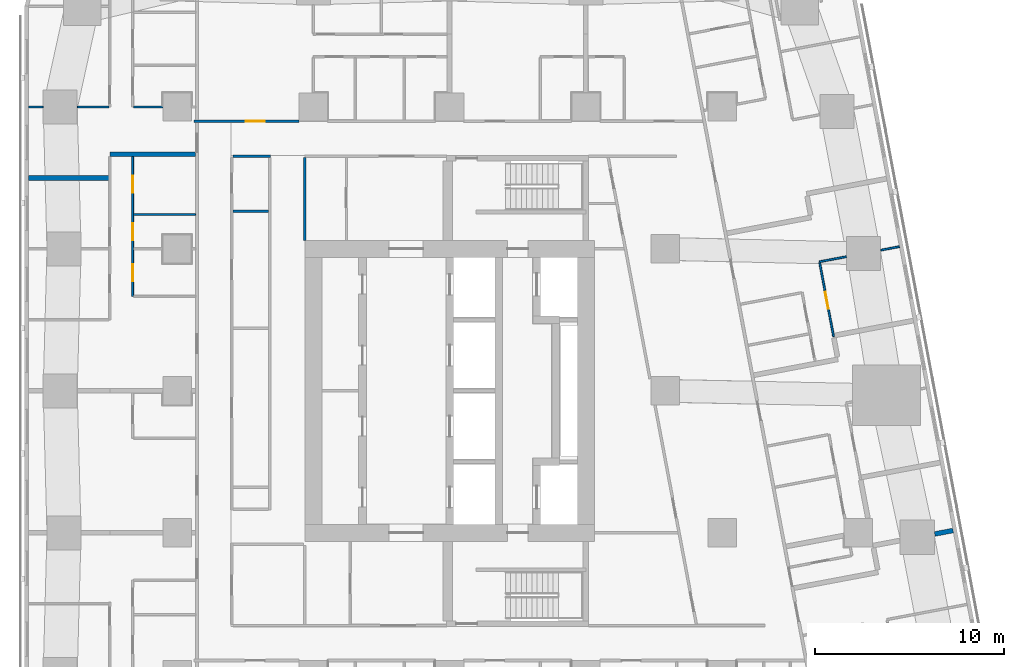
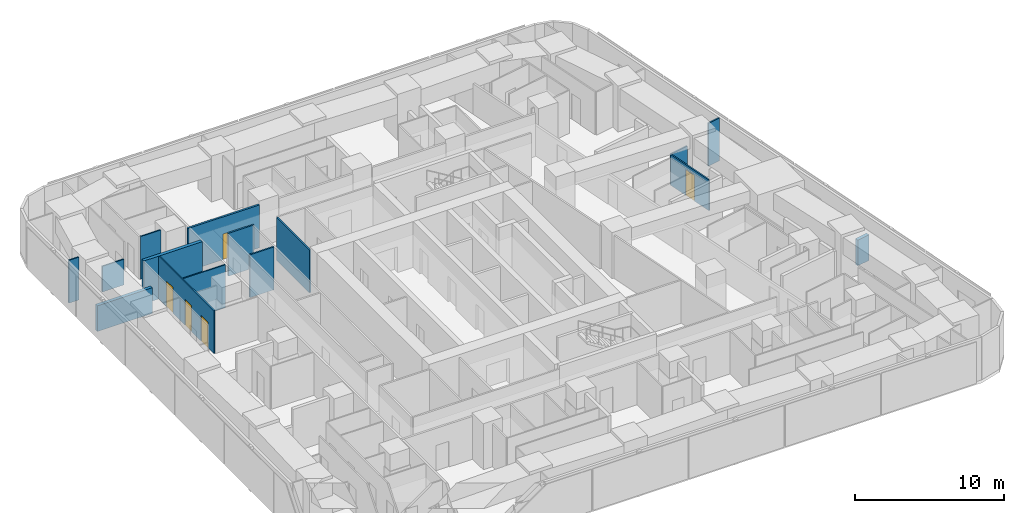
# One storey, part 8 of 15: 15 walls, 5 doors, 5 openings.
"""IFC4 building model written with IfcOpenShell, lengths in metres."""

from ifc_helpers import new_model, si_unit, direction, frame, frame_2d, origin, place, context, subcontext, project, spatial, rectangle, extrude, material, layer, layer_set, type_object, element, fill, save


model = new_model("IFC4")

# Units and contexts
model_context = context("Model", 3, precision=1e-05, world=origin(), true_north=direction((0.0, 1.0)))
body_context = subcontext(model_context, "Body", "Model", "MODEL_VIEW")
ifc_project = project(units=[si_unit("LENGTHUNIT", "METRE"), si_unit("AREAUNIT", "SQUARE_METRE"), si_unit("VOLUMEUNIT", "CUBIC_METRE"), si_unit("PLANEANGLEUNIT", "RADIAN"), si_unit("MASSUNIT", "GRAM", prefix="KILO")], contexts=[model_context])

# Site, building, storey
site_placement = place(None, origin())
site = spatial("IfcSite", under=ifc_project, at=site_placement, CompositionType="ELEMENT")
building_placement = place(site_placement, origin())
building = spatial("IfcBuilding", under=site, at=building_placement, Name="Sheger Commons Tower", CompositionType="ELEMENT")
storey_placement = place(building_placement, frame((0.0, 0.0, 173.300048828125)))
storey = spatial("IfcBuildingStorey", under=building, at=storey_placement, Name="L44", CompositionType="ELEMENT", Elevation=173.300048828125)

# Wall, opening, door
ifc_material_1 = material(Name="Hollow concrete block masonry, skimmed both sides", Category="masonry")
ifc_layer_1 = layer(ifc_material_1, 0.14990234375)
ifc_layer_set_1 = layer_set([ifc_layer_1], Name="CORRIDOR WALL 150")
wall_type_1 = type_object("IfcWallType", Name="CORRIDOR WALL 150", PredefinedType="SOLIDWALL", material=ifc_layer_set_1)
wall_1_placement = place(storey_placement, frame((8.10009765625, 36.75, 0.0), z_axis=(0.0, 0.0, 1.0), x_axis=(1.0, 0.0, 0.0)))
wall_1 = element("IfcWall", 1, at=wall_1_placement, inside=storey, type_object=wall_type_1, Name="Corridor wall L44", PredefinedType="SOLIDWALL", context=body_context, shape_type="SweptSolid", body=[
    extrude(rectangle(XDim=5.548828125, YDim=0.14990234375, at=frame_2d((2.7744140625, 0.0))), origin(), (0.0, 0.0, 1.0), 3.5),
])
opening_1_placement = place(wall_1_placement, frame((2.72509765625, 0.0, 0.0)))
opening_1 = element("IfcOpeningElement", 2, at=opening_1_placement, cuts=wall_1, Name="Opening D1", PredefinedType="OPENING", context=body_context, shape_type="SweptSolid", body=[
    extrude(rectangle(XDim=1.0, YDim=2.10009765625, at=frame_2d((0.5, 1.050048828125))), frame((0.0, 0.0849609375, 0.0), z_axis=(0.0, -1.0, 0.0), x_axis=(1.0, 0.0, 0.0)), (0.0, 0.0, 1.0), 0.169921875),
])
ifc_material_2 = material(Name="Steel door set, fire rated", Category="steel")
door_type_1 = type_object("IfcDoorType", Name="FLAT ENTRANCE DOOR 1000x2100", OperationType="NOTDEFINED", PredefinedType="DOOR", material=ifc_material_2)
door_1_placement = place(opening_1_placement, origin())
door_1 = element("IfcDoor", 3, at=door_1_placement, inside=storey, type_object=door_type_1, Name="Flat entrance door", OperationType="SINGLE_SWING_LEFT", OverallHeight=2.10009765625, OverallWidth=1.0, PredefinedType="DOOR", context=body_context, shape_type="SweptSolid", body=[
    extrude(rectangle(XDim=1.0, YDim=2.10009765625, at=frame_2d((0.5, 1.050048828125))), frame((0.0, 0.02490234375, 0.0), z_axis=(0.0, -1.0, 0.0), x_axis=(1.0, 0.0, 0.0)), (0.0, 0.0, 1.0), 0.050048828125),
])
fill(opening_1, door_1)

# Walls
ifc_material_3 = material(Name="Dense concrete block masonry, plastered both sides (separating wall between flats)", Category="masonry")
ifc_layer_2 = layer(ifc_material_3, 0.25)
ifc_layer_set_2 = layer_set([ifc_layer_2], Name="DEMISING WALL 250")
wall_type_2 = type_object("IfcWallType", Name="DEMISING WALL 250", PredefinedType="SOLIDWALL", material=ifc_layer_set_2)
wall_2_placement = place(storey_placement, frame((-0.64990234375, 33.75, 0.0), z_axis=(0.0, 0.0, 1.0), x_axis=(1.0, 0.0, 0.0)))
element("IfcWall", 4, at=wall_2_placement, inside=storey, type_object=wall_type_2, Name="Demising wall L44", PredefinedType="SOLIDWALL", context=body_context, shape_type="SweptSolid", body=[
    extrude(rectangle(XDim=4.25, YDim=0.25, at=frame_2d((2.125, 0.0))), origin(), (0.0, 0.0, 1.0), 2.099853515625),
])
wall_3_placement = place(storey_placement, frame((3.64990234375, 34.9990234375, 0.0), z_axis=(0.0, 0.0, 1.0), x_axis=(1.0, 0.0, 0.0)))
element("IfcWall", 5, at=wall_3_placement, inside=storey, type_object=wall_type_2, Name="Demising wall L44", PredefinedType="SOLIDWALL", context=body_context, shape_type="SweptSolid", body=[
    extrude(rectangle(XDim=4.525146484375, YDim=0.25, at=frame_2d((2.2626953125, 0.0))), origin(), (0.0, 0.0, 1.0), 3.5),
])
wall_4_placement = place(storey_placement, frame((48.2060546875, 15.1201171875, 0.0), z_axis=(0.0, 0.0, 1.0), x_axis=(-0.982576361834, -0.185859337043, 0.0)))
element("IfcWall", 6, at=wall_4_placement, inside=storey, type_object=wall_type_2, Name="Demising wall L44", PredefinedType="SOLIDWALL", context=body_context, shape_type="SweptSolid", body=[
    extrude(rectangle(XDim=0.985107421875, YDim=0.25, at=frame_2d((0.49267578125, 0.0))), origin(), (0.0, 0.0, 1.0), 2.099853515625),
])

# Wall, openings, doors
ifc_material_4 = material(Name="Gypsum board on steel studs", Category="steel")
ifc_layer_3 = layer(ifc_material_4, 0.10009765625)
ifc_layer_set_3 = layer_set([ifc_layer_3], Name="PARTITION 100")
wall_type_3 = type_object("IfcWallType", Name="PARTITION 100", PredefinedType="PARTITIONING", material=ifc_layer_set_3)
wall_5_placement = place(storey_placement, frame((4.85009765625, 27.4990234375, 0.0), z_axis=(0.0, 0.0, 1.0), x_axis=(0.0, 1.0, 0.0)))
wall_5 = element("IfcWall", 7, at=wall_5_placement, inside=storey, type_object=wall_type_3, Name="Partition L44", PredefinedType="PARTITIONING", context=body_context, shape_type="SweptSolid", body=[
    extrude(rectangle(XDim=7.375, YDim=0.10009765625, at=frame_2d((3.6875, 0.0))), origin(), (0.0, 0.0, 1.0), 3.5),
])
opening_2_placement = place(wall_5_placement, frame((0.800048828125, 0.0, 0.0)))
opening_2 = element("IfcOpeningElement", 8, at=opening_2_placement, cuts=wall_5, Name="Opening D2", PredefinedType="OPENING", context=body_context, shape_type="SweptSolid", body=[
    extrude(rectangle(XDim=0.89990234375, YDim=2.10009765625, at=frame_2d((0.449951171875, 1.050048828125))), frame((0.0, 0.06005859375, 0.0), z_axis=(0.0, -1.0, 0.0), x_axis=(1.0, 0.0, 0.0)), (0.0, 0.0, 1.0), 0.1201171875),
])
opening_3_placement = place(wall_5_placement, frame((2.9609375, 0.0, 0.0)))
opening_3 = element("IfcOpeningElement", 9, at=opening_3_placement, cuts=wall_5, Name="Opening D2", PredefinedType="OPENING", context=body_context, shape_type="SweptSolid", body=[
    extrude(rectangle(XDim=0.89990234375, YDim=2.10009765625, at=frame_2d((0.449951171875, 1.050048828125))), frame((0.0, 0.06005859375, 0.0), z_axis=(0.0, -1.0, 0.0), x_axis=(1.0, 0.0, 0.0)), (0.0, 0.0, 1.0), 0.1201171875),
])
opening_4_placement = place(wall_5_placement, frame((5.4609375, 0.0, 0.0)))
opening_4 = element("IfcOpeningElement", 10, at=opening_4_placement, cuts=wall_5, Name="Opening D2", PredefinedType="OPENING", context=body_context, shape_type="SweptSolid", body=[
    extrude(rectangle(XDim=0.89990234375, YDim=2.10009765625, at=frame_2d((0.449951171875, 1.050048828125))), frame((0.0, 0.06005859375, 0.0), z_axis=(0.0, -1.0, 0.0), x_axis=(1.0, 0.0, 0.0)), (0.0, 0.0, 1.0), 0.1201171875),
])
ifc_material_5 = material(Name="Timber door set", Category="wood")
door_type_2 = type_object("IfcDoorType", Name="INTERNAL DOOR 900x2100", OperationType="NOTDEFINED", PredefinedType="DOOR", material=ifc_material_5)
door_2_placement = place(opening_2_placement, origin())
door_2 = element("IfcDoor", 11, at=door_2_placement, inside=storey, type_object=door_type_2, Name="Bathroom door", OperationType="SINGLE_SWING_RIGHT", OverallHeight=2.10009765625, OverallWidth=0.89990234375, PredefinedType="DOOR", context=body_context, shape_type="SweptSolid", body=[
    extrude(rectangle(XDim=0.89990234375, YDim=2.10009765625, at=frame_2d((0.449951171875, 1.050048828125))), frame((0.0, 0.02490234375, 0.0), z_axis=(0.0, -1.0, 0.0), x_axis=(1.0, 0.0, 0.0)), (0.0, 0.0, 1.0), 0.050048828125),
])
fill(opening_2, door_2)
door_3_placement = place(opening_3_placement, origin())
door_3 = element("IfcDoor", 12, at=door_3_placement, inside=storey, type_object=door_type_2, Name="Laundry room door", OperationType="SINGLE_SWING_LEFT", OverallHeight=2.10009765625, OverallWidth=0.89990234375, PredefinedType="DOOR", context=body_context, shape_type="SweptSolid", body=[
    extrude(rectangle(XDim=0.89990234375, YDim=2.10009765625, at=frame_2d((0.449951171875, 1.050048828125))), frame((0.0, 0.02490234375, 0.0), z_axis=(0.0, -1.0, 0.0), x_axis=(1.0, 0.0, 0.0)), (0.0, 0.0, 1.0), 0.050048828125),
])
fill(opening_3, door_3)
door_4_placement = place(opening_4_placement, origin())
door_4 = element("IfcDoor", 13, at=door_4_placement, inside=storey, type_object=door_type_2, Name="Store door", OperationType="SINGLE_SWING_LEFT", OverallHeight=2.10009765625, OverallWidth=0.89990234375, PredefinedType="DOOR", context=body_context, shape_type="SweptSolid", body=[
    extrude(rectangle(XDim=0.89990234375, YDim=2.10009765625, at=frame_2d((0.449951171875, 1.050048828125))), frame((0.0, 0.02490234375, 0.0), z_axis=(0.0, -1.0, 0.0), x_axis=(1.0, 0.0, 0.0)), (0.0, 0.0, 1.0), 0.050048828125),
])
fill(opening_4, door_4)

# Walls
wall_6_placement = place(storey_placement, frame((4.89990234375, 31.820068359375, 0.0), z_axis=(0.0, 0.0, 1.0), x_axis=(1.0, 0.0, 0.0)))
element("IfcWall", 14, at=wall_6_placement, inside=storey, type_object=wall_type_3, Name="Partition L44", PredefinedType="PARTITIONING", context=body_context, shape_type="SweptSolid", body=[
    extrude(rectangle(XDim=3.275146484375, YDim=0.10009765625, at=frame_2d((1.6376953125, 0.0))), origin(), (0.0, 0.0, 1.0), 3.5),
])
wall_7_placement = place(storey_placement, frame((-0.64990234375, 37.5, 0.0), z_axis=(0.0, 0.0, 1.0), x_axis=(1.0, 0.0, 0.0)))
element("IfcWall", 15, at=wall_7_placement, inside=storey, type_object=wall_type_3, Name="Partition L44", PredefinedType="PARTITIONING", context=body_context, shape_type="SweptSolid", body=[
    extrude(rectangle(XDim=0.77392578125, YDim=0.10009765625, at=frame_2d((0.386962890625, 0.0))), origin(), (0.0, 0.0, 1.0), 3.5),
])
wall_8_placement = place(storey_placement, frame((1.926025390625, 37.5, 0.0), z_axis=(0.0, 0.0, 1.0), x_axis=(1.0, 0.0, 0.0)))
element("IfcWall", 16, at=wall_8_placement, inside=storey, type_object=wall_type_3, Name="Partition L44", PredefinedType="PARTITIONING", context=body_context, shape_type="SweptSolid", body=[
    extrude(rectangle(XDim=1.674072265625, YDim=0.10009765625, at=frame_2d((0.8369140625, 0.0))), origin(), (0.0, 0.0, 1.0), 2.099853515625),
])
wall_9_placement = place(storey_placement, frame((4.89990234375, 37.5, 0.0), z_axis=(0.0, 0.0, 1.0), x_axis=(1.0, 0.0, 0.0)))
element("IfcWall", 17, at=wall_9_placement, inside=storey, type_object=wall_type_3, Name="Partition L44", PredefinedType="PARTITIONING", context=body_context, shape_type="SweptSolid", body=[
    extrude(rectangle(XDim=1.549072265625, YDim=0.10009765625, at=frame_2d((0.7744140625, 0.0))), origin(), (0.0, 0.0, 1.0), 3.5),
])

# Wall, opening, door
wall_10_placement = place(storey_placement, frame((41.156005859375, 29.27294921875, 0.0), z_axis=(0.0, 0.0, 1.0), x_axis=(0.185662195158, -0.982613631744, 0.0)))
wall_10 = element("IfcWall", 18, at=wall_10_placement, inside=storey, type_object=wall_type_3, Name="Partition L44", PredefinedType="PARTITIONING", context=body_context, shape_type="SweptSolid", body=[
    extrude(rectangle(XDim=3.969970703125, YDim=0.10009765625, at=frame_2d((1.98486328125, 0.0))), origin(), (0.0, 0.0, 1.0), 2.5),
])
opening_5_placement = place(wall_10_placement, frame((1.5810546875, 0.0, 0.0)))
opening_5 = element("IfcOpeningElement", 19, at=opening_5_placement, cuts=wall_10, Name="Opening D2", PredefinedType="OPENING", context=body_context, shape_type="SweptSolid", body=[
    extrude(rectangle(XDim=0.89990234375, YDim=2.10009765625, at=frame_2d((0.449951171875, 1.050048828125))), frame((0.0, 0.06005859375, 0.0), z_axis=(0.0, -1.0, 0.0), x_axis=(1.0, 0.0, 0.0)), (0.0, 0.0, 1.0), 0.1201171875),
])
door_5_placement = place(opening_5_placement, origin())
door_5 = element("IfcDoor", 20, at=door_5_placement, inside=storey, type_object=door_type_2, Name="Main bedroom door", OperationType="SINGLE_SWING_RIGHT", OverallHeight=2.10009765625, OverallWidth=0.89990234375, PredefinedType="DOOR", context=body_context, shape_type="SweptSolid", body=[
    extrude(rectangle(XDim=0.89990234375, YDim=2.10009765625, at=frame_2d((0.449951171875, 1.050048828125))), frame((0.0, 0.02490234375, 0.0), z_axis=(0.0, -1.0, 0.0), x_axis=(1.0, 0.0, 0.0)), (0.0, 0.0, 1.0), 0.050048828125),
])
fill(opening_5, door_5)

# Walls
wall_11_placement = place(storey_placement, frame((45.3720703125, 30.12109375, 0.0), z_axis=(0.0, 0.0, 1.0), x_axis=(-0.982530437059, -0.186101961978, 0.0)))
element("IfcWall", 21, at=wall_11_placement, inside=storey, type_object=wall_type_3, Name="Partition L44", PredefinedType="PARTITIONING", context=body_context, shape_type="SweptSolid", body=[
    extrude(rectangle(XDim=0.999755859375, YDim=0.10009765625, at=frame_2d((0.5, 0.0))), origin(), (0.0, 0.0, 1.0), 3.5),
])
wall_12_placement = place(storey_placement, frame((42.570068359375, 29.591064453125, 0.0), z_axis=(0.0, 0.0, 1.0), x_axis=(-0.98259436979, -0.185764109712, 0.0)))
element("IfcWall", 22, at=wall_12_placement, inside=storey, type_object=wall_type_3, Name="Partition L44", PredefinedType="PARTITIONING", context=body_context, shape_type="SweptSolid", body=[
    extrude(rectangle(XDim=1.4482421875, YDim=0.10009765625, at=frame_2d((0.72412109375, 0.0))), origin(), (0.0, 0.0, 1.0), 2.5),
])
ifc_material_6 = material(Name="Gypsum board on steel studs, two layers each side, fire rated", Category="steel")
ifc_layer_4 = layer(ifc_material_6, 0.125)
ifc_layer_set_4 = layer_set([ifc_layer_4], Name="SERVICE WALL 125")
wall_type_4 = type_object("IfcWallType", Name="SERVICE WALL 125", PredefinedType="PARTITIONING", material=ifc_layer_set_4)
wall_13_placement = place(storey_placement, frame((10.162109375, 32.0, 0.0), z_axis=(0.0, 0.0, 1.0), x_axis=(1.0, 0.0, 0.0)))
element("IfcWall", 23, at=wall_13_placement, inside=storey, type_object=wall_type_4, Name="Service room wall L44", PredefinedType="PARTITIONING", context=body_context, shape_type="SweptSolid", body=[
    extrude(rectangle(XDim=1.875, YDim=0.125, at=frame_2d((0.9375, 0.0))), origin(), (0.0, 0.0, 1.0), 3.5),
])
wall_14_placement = place(storey_placement, frame((13.949951171875, 30.449951171875, 0.0), z_axis=(0.0, 0.0, 1.0), x_axis=(0.0, 1.0, 0.0)))
element("IfcWall", 24, at=wall_14_placement, inside=storey, type_object=wall_type_4, Name="Service room wall L44", PredefinedType="PARTITIONING", context=body_context, shape_type="SweptSolid", body=[
    extrude(rectangle(XDim=4.386962890625, YDim=0.125, at=frame_2d((2.193359375, 0.0))), origin(), (0.0, 0.0, 1.0), 3.5),
])
wall_15_placement = place(storey_placement, frame((10.162109375, 34.89990234375, 0.0), z_axis=(0.0, 0.0, 1.0), x_axis=(1.0, 0.0, 0.0)))
element("IfcWall", 25, at=wall_15_placement, inside=storey, type_object=wall_type_4, Name="Service room wall L44", PredefinedType="PARTITIONING", context=body_context, shape_type="SweptSolid", body=[
    extrude(rectangle(XDim=1.98779296875, YDim=0.125, at=frame_2d((0.993896484375, 0.0))), origin(), (0.0, 0.0, 1.0), 3.5),
])

save(model, "model.ifc")
